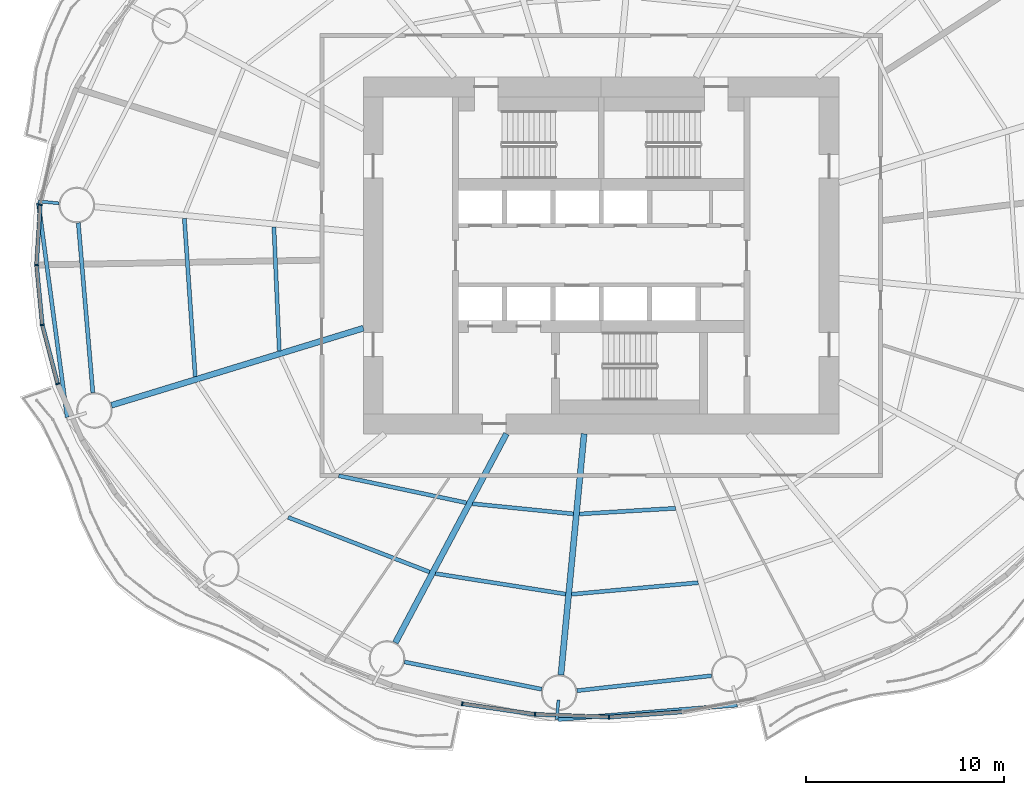
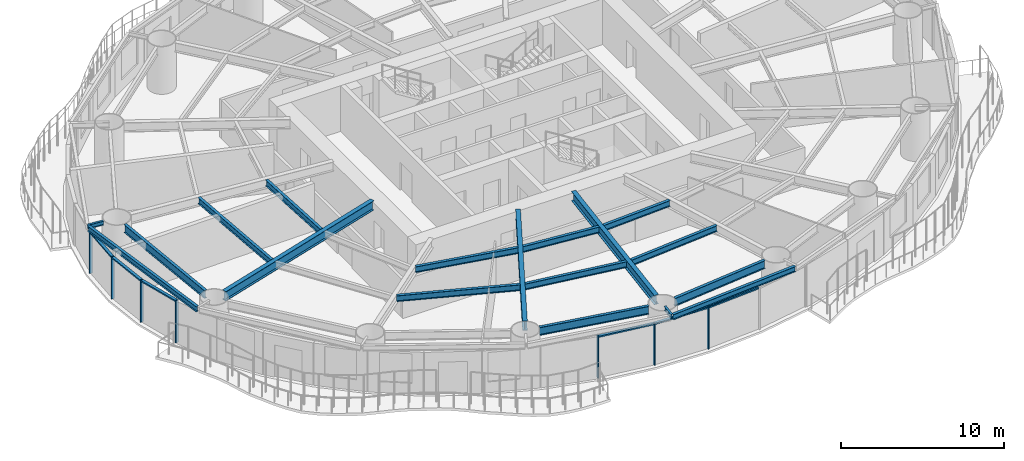
# One storey, part 2 of 17: 18 beams, 13 members, 6 elements without a shape of their own.
"""IFC4 building model written with IfcOpenShell, lengths in metres."""

from ifc_helpers import new_model, si_unit, direction, frame, origin, origin_2d, place, context, subcontext, project, spatial, rectangle, i_section, extrude, material, material_profile, profile_set, type_object, element, aggregate, save


model = new_model("IFC4")

# Units and contexts
model_context = context("Model", 3, precision=1e-05, world=origin(), true_north=direction((0.0, 1.0)))
body_context = subcontext(model_context, "Body", "Model", "MODEL_VIEW")
ifc_project = project(units=[si_unit("LENGTHUNIT", "METRE"), si_unit("AREAUNIT", "SQUARE_METRE"), si_unit("VOLUMEUNIT", "CUBIC_METRE"), si_unit("PLANEANGLEUNIT", "RADIAN"), si_unit("MASSUNIT", "GRAM", prefix="KILO")], contexts=[model_context])

# Site, building, storey
site_placement = place(None, origin())
site = spatial("IfcSite", under=ifc_project, at=site_placement, CompositionType="ELEMENT")
building_placement = place(site_placement, origin())
building = spatial("IfcBuilding", under=site, at=building_placement, Name="Vermilion Reach Broadcast Tower", CompositionType="ELEMENT")
storey_placement = place(building_placement, frame((0.0, 0.0, 39.699951171875)))
storey = spatial("IfcBuildingStorey", under=building, at=storey_placement, Name="L06", CompositionType="ELEMENT", Elevation=39.699951171875)

# Beams
ifc_material_1 = material(Name="Steel S355J2", Category="steel")
ifc_material_profile_1 = material_profile(ifc_material_1, i_section(OverallWidth=0.199951171875, OverallDepth=0.39990234375, WebThickness=0.008056640625, FlangeThickness=0.012939453125, at=origin_2d()), Name="S355J2 HN 400x200x8x13")
ifc_profile_set_1 = profile_set([ifc_material_profile_1], Name="Steel S355J2")
beam_type_1 = type_object("IfcBeamType", Name="EB1 HN 400x200x8x13", PredefinedType="BEAM", material=ifc_profile_set_1)
beam_1_placement = place(storey_placement, frame((-34.400146484375, 2.654296875, 3.35009765625), z_axis=(0.132881452588, -0.991131938522, 0.0), x_axis=(0.991131938522, 0.132881452588, 0.0)))
element("IfcBeam", 1, at=beam_1_placement, inside=storey, type_object=beam_type_1, Name="Edge beam EB1-08", PredefinedType="BEAM", context=body_context, shape_type="SweptSolid", body=[
    extrude(i_section(OverallWidth=0.199951171875, OverallDepth=0.39990234375, WebThickness=0.008056640625, FlangeThickness=0.012939453125, at=origin_2d()), origin(), (0.0, 0.0, 1.0), 10.917236328125),
])
beam_2_placement = place(storey_placement, frame((-8.17529296875, -23.41748046875, 3.35009765625), z_axis=(0.996756016342, 0.080482568827, 0.0), x_axis=(-0.080482568827, 0.996756016342, 0.0)))
element("IfcBeam", 2, at=beam_2_placement, inside=storey, type_object=beam_type_1, Name="Edge beam EB1-12", PredefinedType="BEAM", context=body_context, shape_type="SweptSolid", body=[
    extrude(i_section(OverallWidth=0.199951171875, OverallDepth=0.39990234375, WebThickness=0.008056640625, FlangeThickness=0.012939453125, at=origin_2d()), origin(), (0.0, 0.0, 1.0), 9.06689453125),
])
ifc_material_2 = material(Name="Steel S355J2", Category="steel")
ifc_material_profile_2 = material_profile(ifc_material_2, i_section(OverallWidth=0.300048828125, OverallDepth=0.699951171875, WebThickness=0.012939453125, FlangeThickness=0.02392578125, at=origin_2d()), Name="S355J2 HN 700x300x13x24")
ifc_profile_set_2 = profile_set([ifc_material_profile_2], Name="Steel S355J2")
beam_type_2 = type_object("IfcBeamType", Name="G1 HN 700x300x13x24", PredefinedType="BEAM", material=ifc_profile_set_2)
beam_3_placement = place(storey_placement, frame((-18.0, -3.671142578125, 3.199951171875), z_axis=(-0.956255735186, -0.292531996409, 0.0), x_axis=(0.292531996409, -0.956255735186, 0.0)))
element("IfcBeam", 3, at=beam_3_placement, inside=storey, type_object=beam_type_2, Name="Girder G1-09", PredefinedType="BEAM", context=body_context, shape_type="SweptSolid", body=[
    extrude(i_section(OverallWidth=0.300048828125, OverallDepth=0.699951171875, WebThickness=0.012939453125, FlangeThickness=0.02392578125, at=origin_2d()), origin(), (0.0, 0.0, 1.0), 13.29638671875),
])
beam_4_placement = place(storey_placement, frame((-10.783447265625, -9.0, 3.199951171875), z_axis=(-0.469312182262, -0.883032318537, 0.0), x_axis=(0.883032318537, -0.469312182262, 0.0)))
element("IfcBeam", 4, at=beam_4_placement, inside=storey, type_object=beam_type_2, Name="Girder G1-11", PredefinedType="BEAM", context=body_context, shape_type="SweptSolid", body=[
    extrude(i_section(OverallWidth=0.300048828125, OverallDepth=0.699951171875, WebThickness=0.012939453125, FlangeThickness=0.02392578125, at=origin_2d()), origin(), (0.0, 0.0, 1.0), 11.94091796875),
])
beam_5_placement = place(storey_placement, frame((-6.864990234375, -9.0, 3.199951171875), z_axis=(-0.09566673912, -0.995413419151, 0.0), x_axis=(0.995413419151, -0.09566673912, 0.0)))
element("IfcBeam", 5, at=beam_5_placement, inside=storey, type_object=beam_type_2, Name="Girder G1-12", PredefinedType="BEAM", context=body_context, shape_type="SweptSolid", body=[
    extrude(i_section(OverallWidth=0.300048828125, OverallDepth=0.699951171875, WebThickness=0.012939453125, FlangeThickness=0.02392578125, at=origin_2d()), origin(), (0.0, 0.0, 1.0), 12.22412109375),
])
ifc_material_3 = material(Name="Steel S355J2", Category="steel")
ifc_material_profile_3 = material_profile(ifc_material_3, i_section(OverallWidth=0.14990234375, OverallDepth=0.300048828125, WebThickness=0.006591796875, FlangeThickness=0.009033203125, at=origin_2d()), Name="S355J2 HN 300x150x6.5x9")
ifc_profile_set_3 = profile_set([ifc_material_profile_3], Name="Steel S355J2")
beam_type_3 = type_object("IfcBeamType", Name="GS1 HN 300x150x6.5x9", PredefinedType="BEAM", material=ifc_profile_set_3)
beam_6_placement = place(storey_placement, frame((-33.360107421875, 2.629638671875, 3.400146484375), z_axis=(-0.995401395194, 0.095791766065, 0.0), x_axis=(-0.095791766065, -0.995401395194, 0.0)))
element("IfcBeam", 6, at=beam_6_placement, inside=storey, type_object=beam_type_3, Name="Cantilever stub GS1-08", PredefinedType="BEAM", context=body_context, shape_type="SweptSolid", body=[
    extrude(i_section(OverallWidth=0.14990234375, OverallDepth=0.300048828125, WebThickness=0.006591796875, FlangeThickness=0.009033203125, at=origin_2d()), origin(), (0.0, 0.0, 1.0), 1.05517578125),
])
beam_7_placement = place(storey_placement, frame((-8.15576171875, -22.42822265625, 3.400146484375), z_axis=(-0.095465829939, -0.995432707577, 0.0), x_axis=(0.995432707577, -0.095465829939, 0.0)))
element("IfcBeam", 7, at=beam_7_placement, inside=storey, type_object=beam_type_3, Name="Cantilever stub GS1-12", PredefinedType="BEAM", context=body_context, shape_type="SweptSolid", body=[
    extrude(i_section(OverallWidth=0.14990234375, OverallDepth=0.300048828125, WebThickness=0.006591796875, FlangeThickness=0.009033203125, at=origin_2d()), origin(), (0.0, 0.0, 1.0), 1.0),
])
ifc_material_4 = material(Name="Steel S355J2", Category="steel")
ifc_material_profile_4 = material_profile(ifc_material_4, i_section(OverallWidth=0.199951171875, OverallDepth=0.60009765625, WebThickness=0.010986328125, FlangeThickness=0.01708984375, at=origin_2d()), Name="S355J2 HN 600x200x11x17")
ifc_profile_set_4 = profile_set([ifc_material_profile_4], Name="Steel S355J2")
beam_type_4 = type_object("IfcBeamType", Name="RB1 HN 600x200x11x17", PredefinedType="BEAM", material=ifc_profile_set_4)
beam_8_placement = place(storey_placement, frame((-32.38720703125, 1.646728515625, 3.25), z_axis=(0.085395508608, -0.996347131832, 0.0), x_axis=(0.996347131832, 0.085395508608, 0.0)))
element("IfcBeam", 8, at=beam_8_placement, inside=storey, type_object=beam_type_4, Name="Ring beam RB1-08", PredefinedType="BEAM", context=body_context, shape_type="SweptSolid", body=[
    extrude(i_section(OverallWidth=0.199951171875, OverallDepth=0.60009765625, WebThickness=0.010986328125, FlangeThickness=0.01708984375, at=origin_2d()), origin(), (0.0, 0.0, 1.0), 8.60546875),
])
beam_9_placement = place(storey_placement, frame((-15.927001953125, -20.51416015625, 3.25), z_axis=(0.980857717995, -0.194725799651, 0.0), x_axis=(0.194725799651, 0.980857717995, 0.0)))
element("IfcBeam", 9, at=beam_9_placement, inside=storey, type_object=beam_type_4, Name="Ring beam RB1-11", PredefinedType="BEAM", context=body_context, shape_type="SweptSolid", body=[
    extrude(i_section(OverallWidth=0.199951171875, OverallDepth=0.60009765625, WebThickness=0.010986328125, FlangeThickness=0.01708984375, at=origin_2d()), origin(), (0.0, 0.0, 1.0), 7.05859375),
])
beam_10_placement = place(storey_placement, frame((-7.22607421875, -21.964111328125, 3.25), z_axis=(0.993851439324, 0.110721798009, 0.0), x_axis=(-0.110721798009, 0.993851439324, 0.0)))
element("IfcBeam", 10, at=beam_10_placement, inside=storey, type_object=beam_type_4, Name="Ring beam RB1-12", PredefinedType="BEAM", context=body_context, shape_type="SweptSolid", body=[
    extrude(i_section(OverallWidth=0.199951171875, OverallDepth=0.60009765625, WebThickness=0.010986328125, FlangeThickness=0.01708984375, at=origin_2d()), origin(), (0.0, 0.0, 1.0), 6.8310546875),
])
ifc_material_5 = material(Name="Steel S355J2", Category="steel")
ifc_material_profile_5 = material_profile(ifc_material_5, i_section(OverallWidth=0.199951171875, OverallDepth=0.449951171875, WebThickness=0.009033203125, FlangeThickness=0.013916015625, at=origin_2d()), Name="S355J2 HN 450x200x9x14")
ifc_profile_set_5 = profile_set([ifc_material_profile_5], Name="Steel S355J2")
beam_type_5 = type_object("IfcBeamType", Name="SB1 HN 450x200x9x14", PredefinedType="BEAM", material=ifc_profile_set_5)
beam_11_placement = place(storey_placement, frame((-22.51611328125, 1.436767578125, 3.324951171875), z_axis=(0.043361007512, -0.999059469215, 0.0), x_axis=(0.999059469215, 0.043361007512, 0.0)))
element("IfcBeam", 11, at=beam_11_placement, inside=storey, type_object=beam_type_5, Name="Secondary beam SB1-08-1", PredefinedType="BEAM", context=body_context, shape_type="SweptSolid", body=[
    extrude(i_section(OverallWidth=0.199951171875, OverallDepth=0.449951171875, WebThickness=0.009033203125, FlangeThickness=0.013916015625, at=origin_2d()), origin(), (0.0, 0.0, 1.0), 6.25537109375),
])
beam_12_placement = place(storey_placement, frame((-27.03515625, 1.87109375, 3.324951171875), z_axis=(0.068507801475, -0.997650580683, 0.0), x_axis=(0.997650580683, 0.068507801475, 0.0)))
element("IfcBeam", 12, at=beam_12_placement, inside=storey, type_object=beam_type_5, Name="Secondary beam SB1-08-2", PredefinedType="BEAM", context=body_context, shape_type="SweptSolid", body=[
    extrude(i_section(OverallWidth=0.199951171875, OverallDepth=0.449951171875, WebThickness=0.009033203125, FlangeThickness=0.013916015625, at=origin_2d()), origin(), (0.0, 0.0, 1.0), 8.00048828125),
])
beam_13_placement = place(storey_placement, frame((-19.24560546875, -11.1171875, 3.324951171875), z_axis=(0.978270372412, -0.207333254596, 0.0), x_axis=(0.207333254596, 0.978270372412, 0.0)))
element("IfcBeam", 13, at=beam_13_placement, inside=storey, type_object=beam_type_5, Name="Secondary beam SB1-10-1", PredefinedType="BEAM", context=body_context, shape_type="SweptSolid", body=[
    extrude(i_section(OverallWidth=0.199951171875, OverallDepth=0.449951171875, WebThickness=0.009033203125, FlangeThickness=0.013916015625, at=origin_2d()), origin(), (0.0, 0.0, 1.0), 6.584716796875),
])
beam_14_placement = place(storey_placement, frame((-21.7919921875, -13.217041015625, 3.324951171875), z_axis=(0.932680743753, -0.360702966765, 0.0), x_axis=(0.360702966765, 0.932680743753, 0.0)))
element("IfcBeam", 14, at=beam_14_placement, inside=storey, type_object=beam_type_5, Name="Secondary beam SB1-10-2", PredefinedType="BEAM", context=body_context, shape_type="SweptSolid", body=[
    extrude(i_section(OverallWidth=0.199951171875, OverallDepth=0.449951171875, WebThickness=0.009033203125, FlangeThickness=0.013916015625, at=origin_2d()), origin(), (0.0, 0.0, 1.0), 7.646240234375),
])
beam_15_placement = place(storey_placement, frame((-12.490234375, -12.531005859375, 3.324951171875), z_axis=(0.995010199331, -0.099773259079, 0.0), x_axis=(0.099773259079, 0.995010199331, 0.0)))
element("IfcBeam", 15, at=beam_15_placement, inside=storey, type_object=beam_type_5, Name="Secondary beam SB1-11-1", PredefinedType="BEAM", context=body_context, shape_type="SweptSolid", body=[
    extrude(i_section(OverallWidth=0.199951171875, OverallDepth=0.449951171875, WebThickness=0.009033203125, FlangeThickness=0.013916015625, at=origin_2d()), origin(), (0.0, 0.0, 1.0), 5.111572265625),
])
beam_16_placement = place(storey_placement, frame((-14.36279296875, -16.05419921875, 3.324951171875), z_axis=(0.987829548379, -0.155540294938, 0.0), x_axis=(0.155540294938, 0.987829548379, 0.0)))
element("IfcBeam", 16, at=beam_16_placement, inside=storey, type_object=beam_type_5, Name="Secondary beam SB1-11-2", PredefinedType="BEAM", context=body_context, shape_type="SweptSolid", body=[
    extrude(i_section(OverallWidth=0.199951171875, OverallDepth=0.449951171875, WebThickness=0.009033203125, FlangeThickness=0.013916015625, at=origin_2d()), origin(), (0.0, 0.0, 1.0), 6.650634765625),
])
beam_17_placement = place(storey_placement, frame((-7.103271484375, -13.046875, 3.324951171875), z_axis=(0.99823410974, 0.059402543307, 0.0), x_axis=(-0.059402543307, 0.99823410974, 0.0)))
element("IfcBeam", 17, at=beam_17_placement, inside=storey, type_object=beam_type_5, Name="Secondary beam SB1-12-1", PredefinedType="BEAM", context=body_context, shape_type="SweptSolid", body=[
    extrude(i_section(OverallWidth=0.199951171875, OverallDepth=0.449951171875, WebThickness=0.009033203125, FlangeThickness=0.013916015625, at=origin_2d()), origin(), (0.0, 0.0, 1.0), 4.85791015625),
])
beam_18_placement = place(storey_placement, frame((-7.49267578125, -17.09814453125, 3.324951171875), z_axis=(0.995818616382, 0.091352521952, 0.0), x_axis=(-0.091352521952, 0.995818616382, 0.0)))
element("IfcBeam", 18, at=beam_18_placement, inside=storey, type_object=beam_type_5, Name="Secondary beam SB1-12-2", PredefinedType="BEAM", context=body_context, shape_type="SweptSolid", body=[
    extrude(i_section(OverallWidth=0.199951171875, OverallDepth=0.449951171875, WebThickness=0.009033203125, FlangeThickness=0.013916015625, at=origin_2d()), origin(), (0.0, 0.0, 1.0), 6.4140625),
])

# Curtain wall, member
ifc_material_6 = material(Name="Low-e laminated clear glass in aluminium frame", Category="aluminium")
curtain_wall_type = type_object("IfcCurtainWallType", Name="Slot curtain wall", PredefinedType="NOTDEFINED", material=ifc_material_6)
placement = place(storey_placement, origin())
curtain_wall_1 = element("IfcCurtainWall", 19, at=placement, inside=storey, type_object=curtain_wall_type, Name="Slot curtain wall L06 23", PredefinedType="NOTDEFINED")
ifc_material_7 = material(Name="Anodised aluminium", Category="aluminium")
ifc_material_profile_6 = material_profile(ifc_material_7, rectangle(XDim=0.199951171875, YDim=0.080078125, at=origin_2d()), Name="Slot mullion 80 x 200")
ifc_profile_set_6 = profile_set([ifc_material_profile_6], Name="Anodised aluminium")
member_type_1 = type_object("IfcMemberType", Name="Slot mullion 80 x 200", PredefinedType="MULLION", material=ifc_profile_set_6)
member_1_placement = place(storey_placement, frame((-34.3037109375, 2.558837890625, 0.0), z_axis=(0.0, 0.0, 1.0), x_axis=(0.989903111178, -0.141745654187, 0.0)))
member_1 = element("IfcMember", 20, at=member_1_placement, type_object=member_type_1, Name="Slot mullion L06 23", PredefinedType="MULLION", context=body_context, shape_type="SweptSolid", body=[
    extrude(rectangle(XDim=0.199951171875, YDim=0.080078125, at=origin_2d()), origin(), (0.0, 0.0, 1.0), 3.150146484375),
])

curtain_wall_2 = element("IfcCurtainWall", 21, at=placement, inside=storey, type_object=curtain_wall_type, Name="Slot curtain wall L06 24", PredefinedType="NOTDEFINED")
member_2_placement = place(storey_placement, frame((-34.495361328125, -0.4775390625, 0.0), z_axis=(0.0, 0.0, 1.0), x_axis=(0.999859636549, 0.016754318827, 0.0)))
member_2 = element("IfcMember", 22, at=member_2_placement, type_object=member_type_1, Name="Slot mullion L06 24", PredefinedType="MULLION", context=body_context, shape_type="SweptSolid", body=[
    extrude(rectangle(XDim=0.199951171875, YDim=0.080078125, at=origin_2d()), origin(), (0.0, 0.0, 1.0), 3.150146484375),
])

# Curtain wall, members
curtain_wall_3 = element("IfcCurtainWall", 23, at=placement, inside=storey, type_object=curtain_wall_type, Name="Slot curtain wall L06 25", PredefinedType="NOTDEFINED")
member_3_placement = place(storey_placement, frame((-34.2021484375, -3.505859375, 0.0), z_axis=(0.0, 0.0, 1.0), x_axis=(0.984598315327, 0.174831797611, 0.0)))
member_3 = element("IfcMember", 24, at=member_3_placement, type_object=member_type_1, Name="Slot mullion L06 25", PredefinedType="MULLION", context=body_context, shape_type="SweptSolid", body=[
    extrude(rectangle(XDim=0.199951171875, YDim=0.080078125, at=origin_2d()), origin(), (0.0, 0.0, 1.0), 3.150146484375),
])
member_4_placement = place(storey_placement, frame((-33.42822265625, -6.475341796875, 0.0), z_axis=(0.0, 0.0, 1.0), x_axis=(0.945328463516, 0.326119757245, 0.0)))
member_4 = element("IfcMember", 25, at=member_4_placement, type_object=member_type_1, Name="Slot mullion L06 26", PredefinedType="MULLION", context=body_context, shape_type="SweptSolid", body=[
    extrude(rectangle(XDim=0.199951171875, YDim=0.080078125, at=origin_2d()), origin(), (0.0, 0.0, 1.0), 3.150146484375),
])

# Curtain wall, member
curtain_wall_4 = element("IfcCurtainWall", 26, at=placement, inside=storey, type_object=curtain_wall_type, Name="Slot curtain wall L06 34", PredefinedType="NOTDEFINED")
member_5_placement = place(storey_placement, frame((-13.011474609375, -22.623046875, 0.0), z_axis=(0.0, 0.0, 1.0), x_axis=(0.198358830288, 0.980129468207, 0.0)))
member_5 = element("IfcMember", 27, at=member_5_placement, type_object=member_type_1, Name="Slot mullion L06 34", PredefinedType="MULLION", context=body_context, shape_type="SweptSolid", body=[
    extrude(rectangle(XDim=0.199951171875, YDim=0.080078125, at=origin_2d()), origin(), (0.0, 0.0, 1.0), 3.150146484375),
])

curtain_wall_5 = element("IfcCurtainWall", 28, at=placement, inside=storey, type_object=curtain_wall_type, Name="Slot curtain wall L06 35", PredefinedType="NOTDEFINED")
member_6_placement = place(storey_placement, frame((-9.33935546875, -23.158447265625, 0.0), z_axis=(0.0, 0.0, 1.0), x_axis=(0.090735626108, 0.995875015328, 0.0)))
member_6 = element("IfcMember", 29, at=member_6_placement, type_object=member_type_1, Name="Slot mullion L06 35", PredefinedType="MULLION", context=body_context, shape_type="SweptSolid", body=[
    extrude(rectangle(XDim=0.199951171875, YDim=0.080078125, at=origin_2d()), origin(), (0.0, 0.0, 1.0), 3.150146484375),
])

curtain_wall_6 = element("IfcCurtainWall", 30, at=placement, inside=storey, type_object=curtain_wall_type, Name="Slot curtain wall L06 36", PredefinedType="NOTDEFINED")
member_7_placement = place(storey_placement, frame((-5.609619140625, -23.296142578125, 0.0), z_axis=(0.0, 0.0, 1.0), x_axis=(-0.016754397496, 0.999859635231, 0.0)))
member_7 = element("IfcMember", 31, at=member_7_placement, type_object=member_type_1, Name="Slot mullion L06 36", PredefinedType="MULLION", context=body_context, shape_type="SweptSolid", body=[
    extrude(rectangle(XDim=0.199951171875, YDim=0.080078125, at=origin_2d()), origin(), (0.0, 0.0, 1.0), 3.150146484375),
])

# Member
ifc_material_8 = material(Name="Anodised aluminium", Category="aluminium")
ifc_material_profile_7 = material_profile(ifc_material_8, rectangle(XDim=0.199951171875, YDim=0.10009765625, at=origin_2d()), Name="Slot transom 200 x 100")
ifc_profile_set_7 = profile_set([ifc_material_profile_7], Name="Anodised aluminium")
member_type_2 = type_object("IfcMemberType", Name="Slot transom 200 x 100", PredefinedType="USERDEFINED", material=ifc_profile_set_7)
member_8_placement = place(storey_placement, frame((-34.30615234375, 2.51904296875, 3.10009765625), z_axis=(-0.063045265189, -0.998010668549, 0.0), x_axis=(0.998010668549, -0.063045265189, 0.0)))
member_8 = element("IfcMember", 32, at=member_8_placement, type_object=member_type_2, Name="Slot transom L06 23.1", ObjectType="TRANSOM", PredefinedType="USERDEFINED", context=body_context, shape_type="SweptSolid", body=[
    extrude(rectangle(XDim=0.199951171875, YDim=0.10009765625, at=origin_2d()), origin(), (0.0, 0.0, 1.0), 2.96240234375),
])

aggregate(curtain_wall_1, [member_1, member_8])

member_9_placement = place(storey_placement, frame((-34.491455078125, -0.517333984375, 3.10009765625), z_axis=(0.096419007722, -0.995340833559, 0.0), x_axis=(0.995340833559, 0.096419007722, 0.0)))
member_9 = element("IfcMember", 33, at=member_9_placement, type_object=member_type_2, Name="Slot transom L06 24.1", ObjectType="TRANSOM", PredefinedType="USERDEFINED", context=body_context, shape_type="SweptSolid", body=[
    extrude(rectangle(XDim=0.199951171875, YDim=0.10009765625, at=origin_2d()), origin(), (0.0, 0.0, 1.0), 2.962646484375),
])

aggregate(curtain_wall_2, [member_2, member_9])

member_10_placement = place(storey_placement, frame((-34.19189453125, -3.54443359375, 3.10009765625), z_axis=(0.252095989495, -0.967702233169, 0.0), x_axis=(0.967702233169, 0.252095989495, 0.0)))
member_10 = element("IfcMember", 34, at=member_10_placement, type_object=member_type_2, Name="Slot transom L06 25.1", ObjectType="TRANSOM", PredefinedType="USERDEFINED", context=body_context, shape_type="SweptSolid", body=[
    extrude(rectangle(XDim=0.199951171875, YDim=0.10009765625, at=origin_2d()), origin(), (0.0, 0.0, 1.0), 2.988525390625),
])

aggregate(curtain_wall_3, [member_3, member_4, member_10])

member_11_placement = place(storey_placement, frame((-12.971923828125, -22.62890625, 3.10009765625), z_axis=(0.989535181242, -0.144291805324, 0.0), x_axis=(0.144291805324, 0.989535181242, 0.0)))
member_11 = element("IfcMember", 35, at=member_11_placement, type_object=member_type_2, Name="Slot transom L06 34.1", ObjectType="TRANSOM", PredefinedType="USERDEFINED", context=body_context, shape_type="SweptSolid", body=[
    extrude(rectangle(XDim=0.199951171875, YDim=0.10009765625, at=origin_2d()), origin(), (0.0, 0.0, 1.0), 3.631103515625),
])

aggregate(curtain_wall_4, [member_5, member_11])

member_12_placement = place(storey_placement, frame((-9.29931640625, -23.16015625, 3.10009765625), z_axis=(0.999321411208, -0.036833640884, 0.0), x_axis=(0.036833640884, 0.999321411208, 0.0)))
member_12 = element("IfcMember", 36, at=member_12_placement, type_object=member_type_2, Name="Slot transom L06 35.1", ObjectType="TRANSOM", PredefinedType="USERDEFINED", context=body_context, shape_type="SweptSolid", body=[
    extrude(rectangle(XDim=0.199951171875, YDim=0.10009765625, at=origin_2d()), origin(), (0.0, 0.0, 1.0), 3.652099609375),
])

aggregate(curtain_wall_5, [member_6, member_12])

member_13_placement = place(storey_placement, frame((-5.56982421875, -23.29345703125, 3.10009765625), z_axis=(0.997519744707, 0.070387207075, 0.0), x_axis=(-0.070387207075, 0.997519744707, 0.0)))
member_13 = element("IfcMember", 37, at=member_13_placement, type_object=member_type_2, Name="Slot transom L06 36.1", ObjectType="TRANSOM", PredefinedType="USERDEFINED", context=body_context, shape_type="SweptSolid", body=[
    extrude(rectangle(XDim=0.199951171875, YDim=0.10009765625, at=origin_2d()), origin(), (0.0, 0.0, 1.0), 3.65234375),
])

aggregate(curtain_wall_6, [member_7, member_13])

save(model, "model.ifc")
